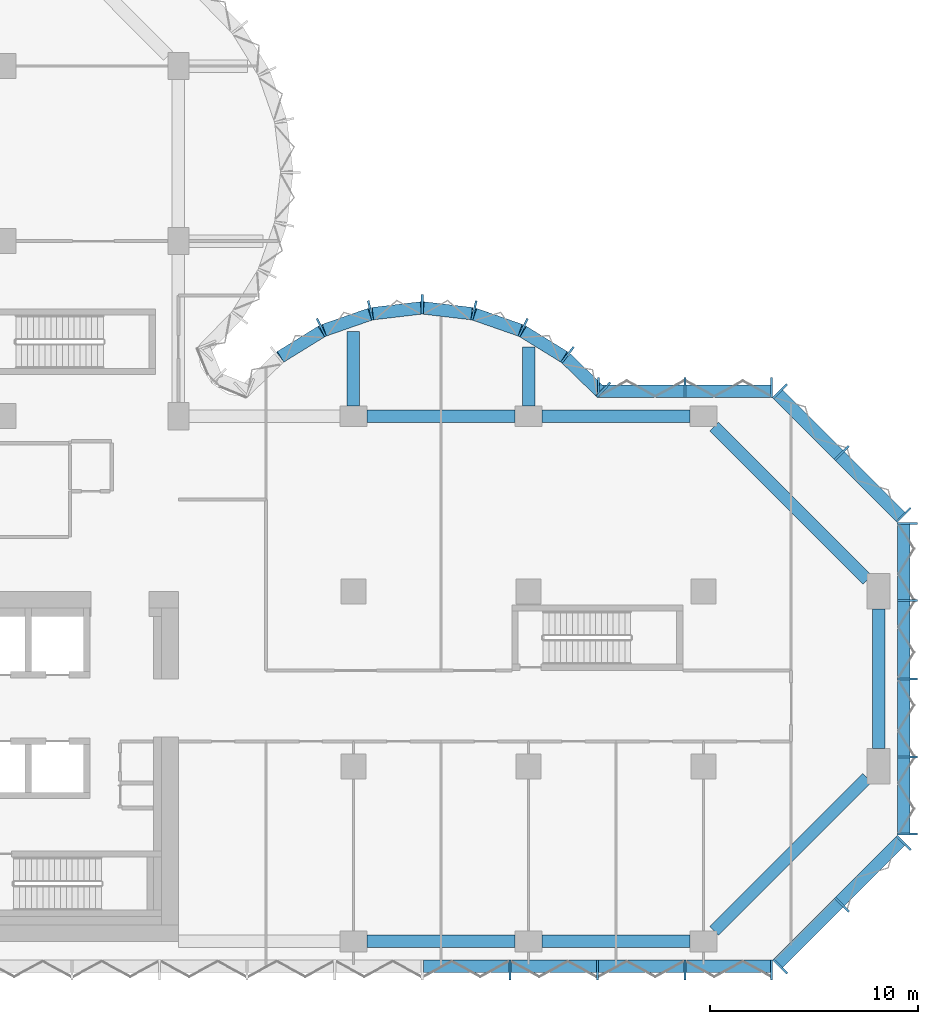
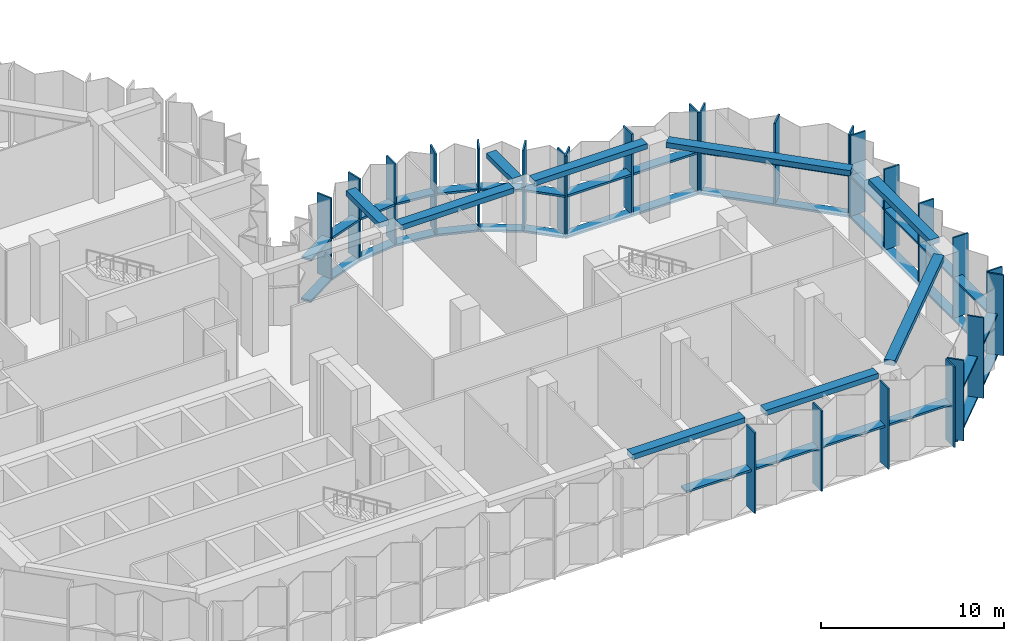
# One storey, part 2 of 15: 57 members, 9 beams, 6 elements without a shape of their own.
"""IFC4 building model written with IfcOpenShell, lengths in metres."""

import ifcopenshell
import ifcopenshell.guid

model = None  # the IFC model being written
_history = None  # IfcOwnerHistory: only IFC2X3 demands one
_inside = {}  # id of a spatial element -> (the spatial element, [elements in it])
_under = {}  # id of a project, library or spatial element -> (it, [spatial elements below it])
_declared = {}  # id of a project -> (the project, [libraries it declares])
_typed = {}  # id of a type object -> (the type object, [elements of that type])
_made_of = {}  # id of a material, layer set ... -> (it, [elements and type objects made of it])


def new_model(schema):
    """Start an empty IFC model of exactly this schema.

    Asked for "IFC4X3", IfcOpenShell would pick the latest addendum, in which some entities
    have other attributes; the version numbers below select the first issue.
    IFC2X3 requires an IfcOwnerHistory on every rooted entity: one is made here for all.
    """
    global model, _history
    if schema == "IFC4X3":
        model = ifcopenshell.file(schema_version=(4, 3, 0, 0))
    else:
        model = ifcopenshell.file(schema=schema)
    _inside.clear()
    _under.clear()
    _declared.clear()
    _typed.clear()
    _made_of.clear()
    _history = None
    if model.schema == "IFC2X3":
        org = make("IfcOrganization", Name="unknown")
        user = make(
            "IfcPersonAndOrganization",
            ThePerson=make("IfcPerson", FamilyName="unknown"),
            TheOrganization=org,
        )
        app = make(
            "IfcApplication",
            ApplicationDeveloper=org,
            Version="unknown",
            ApplicationFullName="unknown",
            ApplicationIdentifier="unknown",
        )
        _history = make(
            "IfcOwnerHistory",
            OwningUser=user,
            OwningApplication=app,
            ChangeAction="ADDED",
            CreationDate=0,
        )
    return model


def make(cls, **values):
    """One entity of the class cls with the attributes given. An attribute that is None is left unset."""
    return model.create_entity(
        cls, **{name: value for name, value in values.items() if value is not None}
    )


def rooted(cls, **values):
    """An entity with a GlobalId (a new one), such as an element, a storey or a relation."""
    return make(cls, GlobalId=ifcopenshell.guid.new(), OwnerHistory=_history, **values)


def si_unit(unit_type, name, prefix=None):
    """IfcSIUnit, for example si_unit("LENGTHUNIT", "METRE", prefix="MILLI")."""
    return make("IfcSIUnit", UnitType=unit_type, Prefix=prefix, Name=name)


def assignment(units):
    """IfcUnitAssignment: the units of a project."""
    return None if units is None else make("IfcUnitAssignment", Units=units)


def point(xyz):
    """IfcCartesianPoint."""
    return None if xyz is None else make("IfcCartesianPoint", Coordinates=xyz)


def direction(xyz):
    """IfcDirection."""
    return None if xyz is None else make("IfcDirection", DirectionRatios=xyz)


def frame(location, z_axis=None, x_axis=None):
    """IfcAxis2Placement3D, a coordinate frame: its origin and axes. An axis left out is left unset."""
    return make(
        "IfcAxis2Placement3D",
        Location=point(location),
        Axis=direction(z_axis),
        RefDirection=direction(x_axis),
    )


def frame_2d(location, x_axis=None):
    """IfcAxis2Placement2D, a coordinate frame in the plane: its origin and x axis."""
    return make(
        "IfcAxis2Placement2D", Location=point(location), RefDirection=direction(x_axis)
    )


def origin():
    """The frame at (0, 0, 0) with its axes left unset."""
    return frame((0.0, 0.0, 0.0))


def origin_2d():
    """The frame at (0, 0) in the plane with its x axis left unset."""
    return frame_2d((0.0, 0.0))


def place(relative_to, where):
    """IfcLocalPlacement: puts the frame where relative to a parent placement (None: the world)."""
    return make(
        "IfcLocalPlacement", PlacementRelTo=relative_to, RelativePlacement=where
    )


def context(
    kind, dimensions, precision=None, world=None, true_north=None, identifier=None
):
    """IfcGeometricRepresentationContext, for example the 3D "Model" context."""
    return make(
        "IfcGeometricRepresentationContext",
        ContextIdentifier=identifier,
        ContextType=kind,
        CoordinateSpaceDimension=dimensions,
        Precision=precision,
        WorldCoordinateSystem=world,
        TrueNorth=true_north,
    )


def subcontext(parent, identifier, kind, view, scale=None):
    """IfcGeometricRepresentationSubContext, for example "Body" below "Model"."""
    return make(
        "IfcGeometricRepresentationSubContext",
        ContextIdentifier=identifier,
        ContextType=kind,
        ParentContext=parent,
        TargetScale=scale,
        TargetView=view,
    )


def project(units=None, contexts=None):
    """IfcProject with its units and contexts."""
    return rooted(
        "IfcProject",
        Name="project",
        RepresentationContexts=contexts,
        UnitsInContext=assignment(units),
    )


def spatial(cls, under=None, at=None, **own):
    """A site, building, storey or space (cls), placed at a placement, below another one or the project."""
    s = rooted(cls, ObjectPlacement=at, **own)
    if under is not None:
        _under.setdefault(under.id(), (under, []))[1].append(s)
    return s


def profile(cls, at=None, kind="AREA", **sizes):
    """A parametric profile (cls). Its sizes go by their IFC names, for example OverallWidth=200.0."""
    return make(cls, ProfileType=kind, Position=at, **sizes)


def rectangle(**sizes):
    """IfcRectangleProfileDef."""
    return profile("IfcRectangleProfileDef", **sizes)


def extrude(swept, where, along, depth):
    """IfcExtrudedAreaSolid: the profile swept, set in the frame where, extruded along a direction by depth."""
    return make(
        "IfcExtrudedAreaSolid",
        SweptArea=swept,
        Position=where,
        ExtrudedDirection=direction(along),
        Depth=depth,
    )


def shape(context_of_items, identifier, shape_type, items):
    """IfcShapeRepresentation: the items that make up one representation, for example the "Body"."""
    return make(
        "IfcShapeRepresentation",
        ContextOfItems=context_of_items,
        RepresentationIdentifier=identifier,
        RepresentationType=shape_type,
        Items=items,
    )


def material(Name=None, Category=None):
    """IfcMaterial."""
    return make("IfcMaterial", Name=Name, Category=Category)


def material_profile(
    of_material, cross_section, Name=None, Category=None, Priority=None
):
    """IfcMaterialProfile: a cross section and its material."""
    return make(
        "IfcMaterialProfile",
        Name=Name,
        Material=of_material,
        Profile=cross_section,
        Priority=Priority,
        Category=Category,
    )


def profile_set(profiles, Name=None, composite=None):
    """IfcMaterialProfileSet."""
    return make(
        "IfcMaterialProfileSet",
        Name=Name,
        MaterialProfiles=profiles,
        CompositeProfile=composite,
    )


def made_of(thing, what):
    """Note that an element or type object is made of a material, layer set ...; save() writes the relation."""
    if what is not None:
        _made_of.setdefault(what.id(), (what, []))[1].append(thing)
    return thing


def type_object(cls, material=None, **own):
    """A type object (cls), such as IfcWallType, which elements share."""
    return made_of(rooted(cls, **own), material)


def element(
    cls,
    number,
    at=None,
    inside=None,
    cuts=None,
    type_object=None,
    material=None,
    context=None,
    identifier="Body",
    shape_type=None,
    held_by="IfcProductDefinitionShape",
    body=None,
    shapes=None,
    **own,
):
    """One element of the class cls, such as IfcWall. Its Tag is "e" and its number.

    at: its placement. inside: the storey or other place that contains it. cuts: it is an
    opening in that element (IfcRelVoidsElement). A single representation is given by context,
    identifier, shape_type and body (its items); several are given by shapes. held_by: the class
    of the entity that holds the representations. save() writes the other relations.
    """
    e = rooted(cls, Tag="e%d" % number, ObjectPlacement=at, **own)
    if body is not None:
        shapes = [shape(context, identifier, shape_type, body)]
    if shapes is not None:
        e.Representation = make(held_by, Representations=shapes)
    if inside is not None:
        _inside.setdefault(inside.id(), (inside, []))[1].append(e)
    if cuts is not None:
        rooted(
            "IfcRelVoidsElement", RelatingBuildingElement=cuts, RelatedOpeningElement=e
        )
    if type_object is not None:
        _typed.setdefault(type_object.id(), (type_object, []))[1].append(e)
    return made_of(e, material)


def aggregate(whole, parts):
    """IfcRelAggregates: a whole, such as a stair, and the parts it consists of."""
    return rooted("IfcRelAggregates", RelatingObject=whole, RelatedObjects=parts)


def save(model, path):
    """Write the relations noted so far, then the file.

    IfcRelAggregates (storeys below a building ...), IfcRelContainedInSpatialStructure (elements
    in a storey), IfcRelDefinesByType, IfcRelAssociatesMaterial and IfcRelDeclares: one each for
    every whole, place, type object, material and project.
    """
    for whole, parts in _under.values():
        aggregate(whole, parts)
    for where, things in _inside.values():
        rooted(
            "IfcRelContainedInSpatialStructure",
            RelatedElements=things,
            RelatingStructure=where,
        )
    for kind, things in _typed.values():
        rooted("IfcRelDefinesByType", RelatedObjects=things, RelatingType=kind)
    for what, things in _made_of.values():
        rooted("IfcRelAssociatesMaterial", RelatedObjects=things, RelatingMaterial=what)
    for by, libraries in _declared.values():
        rooted("IfcRelDeclares", RelatingContext=by, RelatedDefinitions=libraries)
    model.write(path)


model = new_model("IFC4")

# Units and contexts
model_context = context("Model", 3, precision=1e-05, world=origin(), true_north=direction((0.0, 1.0)))
body_context = subcontext(model_context, "Body", "Model", "MODEL_VIEW")
ifc_project = project(units=[si_unit("LENGTHUNIT", "METRE"), si_unit("AREAUNIT", "SQUARE_METRE"), si_unit("VOLUMEUNIT", "CUBIC_METRE"), si_unit("PLANEANGLEUNIT", "RADIAN"), si_unit("MASSUNIT", "GRAM", prefix="KILO")], contexts=[model_context])

# Site, building, storey
site_placement = place(None, origin())
site = spatial("IfcSite", under=ifc_project, at=site_placement, CompositionType="ELEMENT")
building_placement = place(site_placement, origin())
building = spatial("IfcBuilding", under=site, at=building_placement, Name="Brevane Broadcast Tower", CompositionType="ELEMENT")
storey_placement = place(building_placement, frame((0.0, 0.0, 156.5)))
storey = spatial("IfcBuildingStorey", under=building, at=storey_placement, Name="L39", CompositionType="ELEMENT", Elevation=156.5)

# Curtain wall, members
ifc_material_1 = material(Name="Aluminium 6063-T6 bronze anodised", Category="aluminium")
curtain_wall_type = type_object("IfcCurtainWallType", Name="CW-4 curtain wall", PredefinedType="NOTDEFINED", material=ifc_material_1)
curtain_wall_1_placement = place(storey_placement, origin())
curtain_wall_1 = element("IfcCurtainWall", 1, at=curtain_wall_1_placement, inside=storey, type_object=curtain_wall_type, Name="CW-4 sky lobby unit L39 south face", PredefinedType="NOTDEFINED")
ifc_material_profile_1 = material_profile(ifc_material_1, rectangle(XDim=0.949951171875, YDim=0.10009765625, at=origin_2d()), Name="RECT 100x950")
ifc_profile_set_1 = profile_set([ifc_material_profile_1], Name="Aluminium 6063-T6 bronze anodised")
member_type_1 = type_object("IfcMemberType", Name="CW-4 mullion 100x950", PredefinedType="MULLION", material=ifc_profile_set_1)
member_1_placement = place(storey_placement, frame((41.10009765625, -1.375, -0.159912109375), z_axis=(0.0, 0.0, 1.0), x_axis=(0.0, 1.0, 0.0)))
member_1 = element("IfcMember", 2, at=member_1_placement, type_object=member_type_1, Name="CW-4 mullion", PredefinedType="MULLION", context=body_context, shape_type="SweptSolid", body=[
    extrude(rectangle(XDim=0.949951171875, YDim=0.10009765625, at=origin_2d()), origin(), (0.0, 0.0, 1.0), 5.35986328125),
])
member_2_placement = place(storey_placement, frame((45.300048828125, -1.375, -0.159912109375), z_axis=(0.0, 0.0, 1.0), x_axis=(0.0, 1.0, 0.0)))
member_2 = element("IfcMember", 3, at=member_2_placement, type_object=member_type_1, Name="CW-4 mullion", PredefinedType="MULLION", context=body_context, shape_type="SweptSolid", body=[
    extrude(rectangle(XDim=0.949951171875, YDim=0.10009765625, at=origin_2d()), origin(), (0.0, 0.0, 1.0), 5.35986328125),
])
member_3_placement = place(storey_placement, frame((49.5, -1.375, -0.159912109375), z_axis=(0.0, 0.0, 1.0), x_axis=(0.0, 1.0, 0.0)))
member_3 = element("IfcMember", 4, at=member_3_placement, type_object=member_type_1, Name="CW-4 mullion", PredefinedType="MULLION", context=body_context, shape_type="SweptSolid", body=[
    extrude(rectangle(XDim=0.949951171875, YDim=0.10009765625, at=origin_2d()), origin(), (0.0, 0.0, 1.0), 5.35986328125),
])
member_4_placement = place(storey_placement, frame((53.64990234375, -1.375, -0.159912109375), z_axis=(0.0, 0.0, 1.0), x_axis=(0.0, 1.0, 0.0)))
member_4 = element("IfcMember", 5, at=member_4_placement, type_object=member_type_1, Name="CW-4 mullion", PredefinedType="MULLION", context=body_context, shape_type="SweptSolid", body=[
    extrude(rectangle(XDim=0.949951171875, YDim=0.10009765625, at=origin_2d()), origin(), (0.0, 0.0, 1.0), 5.35986328125),
])

curtain_wall_2_placement = place(storey_placement, origin())
curtain_wall_2 = element("IfcCurtainWall", 6, at=curtain_wall_2_placement, inside=storey, type_object=curtain_wall_type, Name="CW-4 sky lobby unit L39 south-east chamfer", PredefinedType="NOTDEFINED")
member_5_placement = place(storey_placement, frame((54.0712890625, -1.200439453125, -0.159912109375), z_axis=(0.0, 0.0, 1.0), x_axis=(-0.707106781187, 0.707106781187, 0.0)))
member_5 = element("IfcMember", 7, at=member_5_placement, type_object=member_type_1, Name="CW-4 mullion", PredefinedType="MULLION", context=body_context, shape_type="SweptSolid", body=[
    extrude(rectangle(XDim=0.949951171875, YDim=0.10009765625, at=origin_2d()), origin(), (0.0, 0.0, 1.0), 5.35986328125),
])
member_6_placement = place(storey_placement, frame((57.035888671875, 1.76416015625, -0.159912109375), z_axis=(0.0, 0.0, 1.0), x_axis=(-0.707106781187, 0.707106781187, 0.0)))
member_6 = element("IfcMember", 8, at=member_6_placement, type_object=member_type_1, Name="CW-4 mullion", PredefinedType="MULLION", context=body_context, shape_type="SweptSolid", body=[
    extrude(rectangle(XDim=0.949951171875, YDim=0.10009765625, at=origin_2d()), origin(), (0.0, 0.0, 1.0), 5.35986328125),
])
member_7_placement = place(storey_placement, frame((60.00048828125, 4.728759765625, -0.159912109375), z_axis=(0.0, 0.0, 1.0), x_axis=(-0.707106781187, 0.707106781187, 0.0)))
member_7 = element("IfcMember", 9, at=member_7_placement, type_object=member_type_1, Name="CW-4 mullion", PredefinedType="MULLION", context=body_context, shape_type="SweptSolid", body=[
    extrude(rectangle(XDim=0.949951171875, YDim=0.10009765625, at=origin_2d()), origin(), (0.0, 0.0, 1.0), 5.35986328125),
])

curtain_wall_3_placement = place(storey_placement, origin())
curtain_wall_3 = element("IfcCurtainWall", 10, at=curtain_wall_3_placement, inside=storey, type_object=curtain_wall_type, Name="CW-4 sky lobby unit L39 east end", PredefinedType="NOTDEFINED")
member_8_placement = place(storey_placement, frame((60.175048828125, 5.14990234375, -0.159912109375), z_axis=(0.0, 0.0, 1.0), x_axis=(-1.0, 0.0, 0.0)))
member_8 = element("IfcMember", 11, at=member_8_placement, type_object=member_type_1, Name="CW-4 mullion", PredefinedType="MULLION", context=body_context, shape_type="SweptSolid", body=[
    extrude(rectangle(XDim=0.949951171875, YDim=0.10009765625, at=origin_2d()), origin(), (0.0, 0.0, 1.0), 5.35986328125),
])
member_9_placement = place(storey_placement, frame((60.175048828125, 8.85009765625, -0.159912109375), z_axis=(0.0, 0.0, 1.0), x_axis=(-1.0, 0.0, 0.0)))
member_9 = element("IfcMember", 12, at=member_9_placement, type_object=member_type_1, Name="CW-4 mullion", PredefinedType="MULLION", context=body_context, shape_type="SweptSolid", body=[
    extrude(rectangle(XDim=0.949951171875, YDim=0.10009765625, at=origin_2d()), origin(), (0.0, 0.0, 1.0), 5.35986328125),
])
member_10_placement = place(storey_placement, frame((60.175048828125, 12.60009765625, -0.159912109375), z_axis=(0.0, 0.0, 1.0), x_axis=(-1.0, 0.0, 0.0)))
member_10 = element("IfcMember", 13, at=member_10_placement, type_object=member_type_1, Name="CW-4 mullion", PredefinedType="MULLION", context=body_context, shape_type="SweptSolid", body=[
    extrude(rectangle(XDim=0.949951171875, YDim=0.10009765625, at=origin_2d()), origin(), (0.0, 0.0, 1.0), 5.35986328125),
])
member_11_placement = place(storey_placement, frame((60.175048828125, 16.35009765625, -0.159912109375), z_axis=(0.0, 0.0, 1.0), x_axis=(-1.0, 0.0, 0.0)))
member_11 = element("IfcMember", 14, at=member_11_placement, type_object=member_type_1, Name="CW-4 mullion", PredefinedType="MULLION", context=body_context, shape_type="SweptSolid", body=[
    extrude(rectangle(XDim=0.949951171875, YDim=0.10009765625, at=origin_2d()), origin(), (0.0, 0.0, 1.0), 5.35986328125),
])
member_12_placement = place(storey_placement, frame((60.175048828125, 20.050048828125, -0.159912109375), z_axis=(0.0, 0.0, 1.0), x_axis=(-1.0, 0.0, 0.0)))
member_12 = element("IfcMember", 15, at=member_12_placement, type_object=member_type_1, Name="CW-4 mullion", PredefinedType="MULLION", context=body_context, shape_type="SweptSolid", body=[
    extrude(rectangle(XDim=0.949951171875, YDim=0.10009765625, at=origin_2d()), origin(), (0.0, 0.0, 1.0), 5.35986328125),
])

curtain_wall_4_placement = place(storey_placement, origin())
curtain_wall_4 = element("IfcCurtainWall", 16, at=curtain_wall_4_placement, inside=storey, type_object=curtain_wall_type, Name="CW-4 sky lobby unit L39 north-east chamfer", PredefinedType="NOTDEFINED")
member_13_placement = place(storey_placement, frame((60.00048828125, 20.47119140625, -0.159912109375), z_axis=(0.0, 0.0, 1.0), x_axis=(-0.707106781187, -0.707106781187, 0.0)))
member_13 = element("IfcMember", 17, at=member_13_placement, type_object=member_type_1, Name="CW-4 mullion", PredefinedType="MULLION", context=body_context, shape_type="SweptSolid", body=[
    extrude(rectangle(XDim=0.949951171875, YDim=0.10009765625, at=origin_2d()), origin(), (0.0, 0.0, 1.0), 5.35986328125),
])
member_14_placement = place(storey_placement, frame((57.035888671875, 23.435791015625, -0.159912109375), z_axis=(0.0, 0.0, 1.0), x_axis=(-0.707106781187, -0.707106781187, 0.0)))
member_14 = element("IfcMember", 18, at=member_14_placement, type_object=member_type_1, Name="CW-4 mullion", PredefinedType="MULLION", context=body_context, shape_type="SweptSolid", body=[
    extrude(rectangle(XDim=0.949951171875, YDim=0.10009765625, at=origin_2d()), origin(), (0.0, 0.0, 1.0), 5.35986328125),
])
member_15_placement = place(storey_placement, frame((54.0712890625, 26.400634765625, -0.159912109375), z_axis=(0.0, 0.0, 1.0), x_axis=(-0.707106781187, -0.707106781187, 0.0)))
member_15 = element("IfcMember", 19, at=member_15_placement, type_object=member_type_1, Name="CW-4 mullion", PredefinedType="MULLION", context=body_context, shape_type="SweptSolid", body=[
    extrude(rectangle(XDim=0.949951171875, YDim=0.10009765625, at=origin_2d()), origin(), (0.0, 0.0, 1.0), 5.35986328125),
])

curtain_wall_5_placement = place(storey_placement, origin())
curtain_wall_5 = element("IfcCurtainWall", 20, at=curtain_wall_5_placement, inside=storey, type_object=curtain_wall_type, Name="CW-4 sky lobby unit L39 east arm north face", PredefinedType="NOTDEFINED")
member_16_placement = place(storey_placement, frame((53.64990234375, 26.574951171875, -0.159912109375), z_axis=(0.0, 0.0, 1.0), x_axis=(0.0, -1.0, 0.0)))
member_16 = element("IfcMember", 21, at=member_16_placement, type_object=member_type_1, Name="CW-4 mullion", PredefinedType="MULLION", context=body_context, shape_type="SweptSolid", body=[
    extrude(rectangle(XDim=0.949951171875, YDim=0.10009765625, at=origin_2d()), origin(), (0.0, 0.0, 1.0), 5.35986328125),
])
member_17_placement = place(storey_placement, frame((49.5, 26.574951171875, -0.159912109375), z_axis=(0.0, 0.0, 1.0), x_axis=(0.0, -1.0, 0.0)))
member_17 = element("IfcMember", 22, at=member_17_placement, type_object=member_type_1, Name="CW-4 mullion", PredefinedType="MULLION", context=body_context, shape_type="SweptSolid", body=[
    extrude(rectangle(XDim=0.949951171875, YDim=0.10009765625, at=origin_2d()), origin(), (0.0, 0.0, 1.0), 5.35986328125),
])
member_18_placement = place(storey_placement, frame((45.35009765625, 26.574951171875, -0.159912109375), z_axis=(0.0, 0.0, 1.0), x_axis=(0.0, -1.0, 0.0)))
member_18 = element("IfcMember", 23, at=member_18_placement, type_object=member_type_1, Name="CW-4 mullion", PredefinedType="MULLION", context=body_context, shape_type="SweptSolid", body=[
    extrude(rectangle(XDim=0.949951171875, YDim=0.10009765625, at=origin_2d()), origin(), (0.0, 0.0, 1.0), 5.35986328125),
])

curtain_wall_6_placement = place(storey_placement, origin())
curtain_wall_6 = element("IfcCurtainWall", 24, at=curtain_wall_6_placement, inside=storey, type_object=curtain_wall_type, Name="CW-4 sky lobby unit L39 east bow", PredefinedType="NOTDEFINED")
member_19_placement = place(storey_placement, frame((45.59521484375, 26.4755859375, -0.159912109375), z_axis=(0.0, 0.0, 1.0), x_axis=(-0.696812089895, -0.717253728729, 0.0)))
member_19 = element("IfcMember", 25, at=member_19_placement, type_object=member_type_1, Name="CW-4 mullion", PredefinedType="MULLION", context=body_context, shape_type="SweptSolid", body=[
    extrude(rectangle(XDim=0.949951171875, YDim=0.10009765625, at=origin_2d()), origin(), (0.0, 0.0, 1.0), 5.35986328125),
])
member_20_placement = place(storey_placement, frame((43.8720703125, 28.1455078125, -0.159912109375), z_axis=(0.0, 0.0, 1.0), x_axis=(-0.614769698862, -0.788706673841, 0.0)))
member_20 = element("IfcMember", 26, at=member_20_placement, type_object=member_type_1, Name="CW-4 mullion", PredefinedType="MULLION", context=body_context, shape_type="SweptSolid", body=[
    extrude(rectangle(XDim=0.949951171875, YDim=0.10009765625, at=origin_2d()), origin(), (0.0, 0.0, 1.0), 5.35986328125),
])
member_21_placement = place(storey_placement, frame((41.746826171875, 29.4580078125, -0.159912109375), z_axis=(0.0, 0.0, 1.0), x_axis=(-0.429933580394, -0.902860518823, 0.0)))
member_21 = element("IfcMember", 27, at=member_21_placement, type_object=member_type_1, Name="CW-4 mullion", PredefinedType="MULLION", context=body_context, shape_type="SweptSolid", body=[
    extrude(rectangle(XDim=0.949951171875, YDim=0.10009765625, at=origin_2d()), origin(), (0.0, 0.0, 1.0), 5.35986328125),
])
member_22_placement = place(storey_placement, frame((39.38818359375, 30.28076171875, -0.159912109375), z_axis=(0.0, 0.0, 1.0), x_axis=(-0.224806535479, -0.974403418306, 0.0)))
member_22 = element("IfcMember", 28, at=member_22_placement, type_object=member_type_1, Name="CW-4 mullion", PredefinedType="MULLION", context=body_context, shape_type="SweptSolid", body=[
    extrude(rectangle(XDim=0.949951171875, YDim=0.10009765625, at=origin_2d()), origin(), (0.0, 0.0, 1.0), 5.35986328125),
])
member_23_placement = place(storey_placement, frame((36.89990234375, 30.574951171875, -0.159912109375), z_axis=(0.0, 0.0, 1.0), x_axis=(0.0, -1.0, 0.0)))
member_23 = element("IfcMember", 29, at=member_23_placement, type_object=member_type_1, Name="CW-4 mullion", PredefinedType="MULLION", context=body_context, shape_type="SweptSolid", body=[
    extrude(rectangle(XDim=0.949951171875, YDim=0.10009765625, at=origin_2d()), origin(), (0.0, 0.0, 1.0), 5.35986328125),
])
member_24_placement = place(storey_placement, frame((34.411865234375, 30.28076171875, -0.159912109375), z_axis=(0.0, 0.0, 1.0), x_axis=(0.224806535479, -0.974403418306, 0.0)))
member_24 = element("IfcMember", 30, at=member_24_placement, type_object=member_type_1, Name="CW-4 mullion", PredefinedType="MULLION", context=body_context, shape_type="SweptSolid", body=[
    extrude(rectangle(XDim=0.949951171875, YDim=0.10009765625, at=origin_2d()), origin(), (0.0, 0.0, 1.0), 5.35986328125),
])
member_25_placement = place(storey_placement, frame((32.05322265625, 29.4580078125, -0.159912109375), z_axis=(0.0, 0.0, 1.0), x_axis=(0.429933580394, -0.902860518823, 0.0)))
member_25 = element("IfcMember", 31, at=member_25_placement, type_object=member_type_1, Name="CW-4 mullion", PredefinedType="MULLION", context=body_context, shape_type="SweptSolid", body=[
    extrude(rectangle(XDim=0.949951171875, YDim=0.10009765625, at=origin_2d()), origin(), (0.0, 0.0, 1.0), 5.35986328125),
])

# Member
ifc_material_profile_2 = material_profile(ifc_material_1, rectangle(XDim=0.60009765625, YDim=0.139892578125, at=origin_2d()), Name="RECT 140x600")
ifc_profile_set_2 = profile_set([ifc_material_profile_2], Name="Aluminium 6063-T6 bronze anodised")
member_type_2 = type_object("IfcMemberType", Name="CW-4 transom 140x600", PredefinedType="USERDEFINED", material=ifc_profile_set_2)
member_26_placement = place(storey_placement, frame((36.949951171875, -1.199951171875, 2.5), z_axis=(1.0, 0.0, 0.0), x_axis=(0.0, 1.0, 0.0)))
member_26 = element("IfcMember", 32, at=member_26_placement, type_object=member_type_2, Name="CW-4 transom", ObjectType="TRANSOM", PredefinedType="USERDEFINED", context=body_context, shape_type="SweptSolid", body=[
    extrude(rectangle(XDim=0.60009765625, YDim=0.139892578125, at=origin_2d()), origin(), (0.0, 0.0, 1.0), 4.10009765625),
])

member_27_placement = place(storey_placement, frame((41.14990234375, -1.199951171875, 2.5), z_axis=(1.0, 0.0, 0.0), x_axis=(0.0, 1.0, 0.0)))
member_27 = element("IfcMember", 33, at=member_27_placement, type_object=member_type_2, Name="CW-4 transom", ObjectType="TRANSOM", PredefinedType="USERDEFINED", context=body_context, shape_type="SweptSolid", body=[
    extrude(rectangle(XDim=0.60009765625, YDim=0.139892578125, at=origin_2d()), origin(), (0.0, 0.0, 1.0), 4.10009765625),
])

member_28_placement = place(storey_placement, frame((45.35009765625, -1.199951171875, 2.5), z_axis=(1.0, 0.0, 0.0), x_axis=(0.0, 1.0, 0.0)))
member_28 = element("IfcMember", 34, at=member_28_placement, type_object=member_type_2, Name="CW-4 transom", ObjectType="TRANSOM", PredefinedType="USERDEFINED", context=body_context, shape_type="SweptSolid", body=[
    extrude(rectangle(XDim=0.60009765625, YDim=0.139892578125, at=origin_2d()), origin(), (0.0, 0.0, 1.0), 4.099853515625),
])

member_29_placement = place(storey_placement, frame((49.550048828125, -1.199951171875, 2.5), z_axis=(1.0, 0.0, 0.0), x_axis=(0.0, 1.0, 0.0)))
member_29 = element("IfcMember", 35, at=member_29_placement, type_object=member_type_2, Name="CW-4 transom", ObjectType="TRANSOM", PredefinedType="USERDEFINED", context=body_context, shape_type="SweptSolid", body=[
    extrude(rectangle(XDim=0.60009765625, YDim=0.139892578125, at=origin_2d()), origin(), (0.0, 0.0, 1.0), 4.099853515625),
])

aggregate(curtain_wall_1, [member_1, member_2, member_3, member_4, member_26, member_27, member_28, member_29])

member_30_placement = place(storey_placement, frame((53.912109375, -1.112060546875, -0.22998046875), z_axis=(0.707106781187, 0.707106781187, 0.0), x_axis=(-0.707106781187, 0.707106781187, 0.0)))
member_30 = element("IfcMember", 36, at=member_30_placement, type_object=member_type_2, Name="CW-4 transom", ObjectType="TRANSOM", PredefinedType="USERDEFINED", context=body_context, shape_type="SweptSolid", body=[
    extrude(rectangle(XDim=0.60009765625, YDim=0.139892578125, at=origin_2d()), origin(), (0.0, 0.0, 1.0), 8.4853515625),
])

member_31_placement = place(storey_placement, frame((53.947509765625, -1.07666015625, 2.5), z_axis=(0.707106781187, 0.707106781187, 0.0), x_axis=(-0.707106781187, 0.707106781187, 0.0)))
member_31 = element("IfcMember", 37, at=member_31_placement, type_object=member_type_2, Name="CW-4 transom", ObjectType="TRANSOM", PredefinedType="USERDEFINED", context=body_context, shape_type="SweptSolid", body=[
    extrude(rectangle(XDim=0.60009765625, YDim=0.139892578125, at=origin_2d()), origin(), (0.0, 0.0, 1.0), 4.142578125),
])

member_32_placement = place(storey_placement, frame((56.947509765625, 1.92333984375, 2.5), z_axis=(0.707106781187, 0.707106781187, 0.0), x_axis=(-0.707106781187, 0.707106781187, 0.0)))
member_32 = element("IfcMember", 38, at=member_32_placement, type_object=member_type_2, Name="CW-4 transom", ObjectType="TRANSOM", PredefinedType="USERDEFINED", context=body_context, shape_type="SweptSolid", body=[
    extrude(rectangle(XDim=0.60009765625, YDim=0.139892578125, at=origin_2d()), origin(), (0.0, 0.0, 1.0), 4.142578125),
])

aggregate(curtain_wall_2, [member_5, member_6, member_7, member_30, member_31, member_32])

member_33_placement = place(storey_placement, frame((60.0, 5.10009765625, -0.22998046875), z_axis=(0.0, 1.0, 0.0), x_axis=(-1.0, 0.0, 0.0)))
member_33 = element("IfcMember", 39, at=member_33_placement, type_object=member_type_2, Name="CW-4 transom", ObjectType="TRANSOM", PredefinedType="USERDEFINED", context=body_context, shape_type="SweptSolid", body=[
    extrude(rectangle(XDim=0.60009765625, YDim=0.139892578125, at=origin_2d()), origin(), (0.0, 0.0, 1.0), 15.0),
])

member_34_placement = place(storey_placement, frame((60.0, 5.14990234375, 2.5), z_axis=(0.0, 1.0, 0.0), x_axis=(-1.0, 0.0, 0.0)))
member_34 = element("IfcMember", 40, at=member_34_placement, type_object=member_type_2, Name="CW-4 transom", ObjectType="TRANSOM", PredefinedType="USERDEFINED", context=body_context, shape_type="SweptSolid", body=[
    extrude(rectangle(XDim=0.60009765625, YDim=0.139892578125, at=origin_2d()), origin(), (0.0, 0.0, 1.0), 3.650146484375),
])

member_35_placement = place(storey_placement, frame((60.0, 8.89990234375, 2.5), z_axis=(0.0, 1.0, 0.0), x_axis=(-1.0, 0.0, 0.0)))
member_35 = element("IfcMember", 41, at=member_35_placement, type_object=member_type_2, Name="CW-4 transom", ObjectType="TRANSOM", PredefinedType="USERDEFINED", context=body_context, shape_type="SweptSolid", body=[
    extrude(rectangle(XDim=0.60009765625, YDim=0.139892578125, at=origin_2d()), origin(), (0.0, 0.0, 1.0), 3.650146484375),
])

member_36_placement = place(storey_placement, frame((60.0, 12.64990234375, 2.5), z_axis=(0.0, 1.0, 0.0), x_axis=(-1.0, 0.0, 0.0)))
member_36 = element("IfcMember", 42, at=member_36_placement, type_object=member_type_2, Name="CW-4 transom", ObjectType="TRANSOM", PredefinedType="USERDEFINED", context=body_context, shape_type="SweptSolid", body=[
    extrude(rectangle(XDim=0.60009765625, YDim=0.139892578125, at=origin_2d()), origin(), (0.0, 0.0, 1.0), 3.650146484375),
])

member_37_placement = place(storey_placement, frame((60.0, 16.39990234375, 2.5), z_axis=(0.0, 1.0, 0.0), x_axis=(-1.0, 0.0, 0.0)))
member_37 = element("IfcMember", 43, at=member_37_placement, type_object=member_type_2, Name="CW-4 transom", ObjectType="TRANSOM", PredefinedType="USERDEFINED", context=body_context, shape_type="SweptSolid", body=[
    extrude(rectangle(XDim=0.60009765625, YDim=0.139892578125, at=origin_2d()), origin(), (0.0, 0.0, 1.0), 3.650146484375),
])

aggregate(curtain_wall_3, [member_8, member_9, member_10, member_11, member_12, member_33, member_34, member_35, member_36, member_37])

member_38_placement = place(storey_placement, frame((59.912109375, 20.31201171875, -0.22998046875), z_axis=(-0.707106781187, 0.707106781187, 0.0), x_axis=(-0.707106781187, -0.707106781187, 0.0)))
member_38 = element("IfcMember", 44, at=member_38_placement, type_object=member_type_2, Name="CW-4 transom", ObjectType="TRANSOM", PredefinedType="USERDEFINED", context=body_context, shape_type="SweptSolid", body=[
    extrude(rectangle(XDim=0.60009765625, YDim=0.139892578125, at=origin_2d()), origin(), (0.0, 0.0, 1.0), 8.4853515625),
])

member_39_placement = place(storey_placement, frame((59.876708984375, 20.347412109375, 2.5), z_axis=(-0.707077314107, 0.707136247038, 0.0), x_axis=(-0.707136247038, -0.707077314107, 0.0)))
member_39 = element("IfcMember", 45, at=member_39_placement, type_object=member_type_2, Name="CW-4 transom", ObjectType="TRANSOM", PredefinedType="USERDEFINED", context=body_context, shape_type="SweptSolid", body=[
    extrude(rectangle(XDim=0.60009765625, YDim=0.139892578125, at=origin_2d()), origin(), (0.0, 0.0, 1.0), 4.142578125),
])

member_40_placement = place(storey_placement, frame((56.876708984375, 23.347412109375, 2.5), z_axis=(-0.707077314107, 0.707136247038, 0.0), x_axis=(-0.707136247038, -0.707077314107, 0.0)))
member_40 = element("IfcMember", 46, at=member_40_placement, type_object=member_type_2, Name="CW-4 transom", ObjectType="TRANSOM", PredefinedType="USERDEFINED", context=body_context, shape_type="SweptSolid", body=[
    extrude(rectangle(XDim=0.60009765625, YDim=0.139892578125, at=origin_2d()), origin(), (0.0, 0.0, 1.0), 4.142578125),
])

aggregate(curtain_wall_4, [member_13, member_14, member_15, member_38, member_39, member_40])

member_41_placement = place(storey_placement, frame((53.699951171875, 26.39990234375, -0.22998046875), z_axis=(-1.0, 0.0, 0.0), x_axis=(0.0, -1.0, 0.0)))
member_41 = element("IfcMember", 47, at=member_41_placement, type_object=member_type_2, Name="CW-4 transom", ObjectType="TRANSOM", PredefinedType="USERDEFINED", context=body_context, shape_type="SweptSolid", body=[
    extrude(rectangle(XDim=0.60009765625, YDim=0.139892578125, at=origin_2d()), origin(), (0.0, 0.0, 1.0), 8.39990234375),
])

member_42_placement = place(storey_placement, frame((53.64990234375, 26.39990234375, 2.5), z_axis=(-1.0, 0.0, 0.0), x_axis=(0.0, -1.0, 0.0)))
member_42 = element("IfcMember", 48, at=member_42_placement, type_object=member_type_2, Name="CW-4 transom", ObjectType="TRANSOM", PredefinedType="USERDEFINED", context=body_context, shape_type="SweptSolid", body=[
    extrude(rectangle(XDim=0.60009765625, YDim=0.139892578125, at=origin_2d()), origin(), (0.0, 0.0, 1.0), 4.099853515625),
])

member_43_placement = place(storey_placement, frame((49.449951171875, 26.39990234375, 2.5), z_axis=(-1.0, 0.0, 0.0), x_axis=(0.0, -1.0, 0.0)))
member_43 = element("IfcMember", 49, at=member_43_placement, type_object=member_type_2, Name="CW-4 transom", ObjectType="TRANSOM", PredefinedType="USERDEFINED", context=body_context, shape_type="SweptSolid", body=[
    extrude(rectangle(XDim=0.60009765625, YDim=0.139892578125, at=origin_2d()), origin(), (0.0, 0.0, 1.0), 4.099853515625),
])

aggregate(curtain_wall_5, [member_16, member_17, member_18, member_41, member_42, member_43])

member_44_placement = place(storey_placement, frame((45.412841796875, 26.407958984375, -0.22998046875), z_axis=(-0.71724215871, 0.696823999134, 0.0), x_axis=(-0.696823999134, -0.71724215871, 0.0)))
member_44 = element("IfcMember", 50, at=member_44_placement, type_object=member_type_2, Name="CW-4 transom", ObjectType="TRANSOM", PredefinedType="USERDEFINED", context=body_context, shape_type="SweptSolid", body=[
    extrude(rectangle(XDim=0.60009765625, YDim=0.139892578125, at=origin_2d()), origin(), (0.0, 0.0, 1.0), 2.247802734375),
])

member_45_placement = place(storey_placement, frame((43.7421875, 28.023193359375, -0.22998046875), z_axis=(-0.850810063131, 0.525473345162, 0.0), x_axis=(-0.525473345162, -0.850810063131, 0.0)))
member_45 = element("IfcMember", 51, at=member_45_placement, type_object=member_type_2, Name="CW-4 transom", ObjectType="TRANSOM", PredefinedType="USERDEFINED", context=body_context, shape_type="SweptSolid", body=[
    extrude(rectangle(XDim=0.60009765625, YDim=0.139892578125, at=origin_2d()), origin(), (0.0, 0.0, 1.0), 2.39453125),
])

member_46_placement = place(storey_placement, frame((41.63623046875, 29.314208984375, -0.22998046875), z_axis=(-0.944197969542, 0.329378497041, 0.0), x_axis=(-0.329378497041, -0.944197969542, 0.0)))
member_46 = element("IfcMember", 52, at=member_46_placement, type_object=member_type_2, Name="CW-4 transom", ObjectType="TRANSOM", PredefinedType="USERDEFINED", context=body_context, shape_type="SweptSolid", body=[
    extrude(rectangle(XDim=0.60009765625, YDim=0.139892578125, at=origin_2d()), origin(), (0.0, 0.0, 1.0), 2.394775390625),
])

member_47_placement = place(storey_placement, frame((39.30029296875, 30.117431640625, -0.22998046875), z_axis=(-0.993062061831, 0.117591417, 0.0), x_axis=(-0.117591417, -0.993062061831, 0.0)))
member_47 = element("IfcMember", 53, at=member_47_placement, type_object=member_type_2, Name="CW-4 transom", ObjectType="TRANSOM", PredefinedType="USERDEFINED", context=body_context, shape_type="SweptSolid", body=[
    extrude(rectangle(XDim=0.60009765625, YDim=0.139892578125, at=origin_2d()), origin(), (0.0, 0.0, 1.0), 2.39794921875),
])

member_48_placement = place(storey_placement, frame((36.880859375, 30.3994140625, -0.22998046875), z_axis=(-0.993060653805, -0.117603307202, 0.0), x_axis=(0.117603307202, -0.993060653805, 0.0)))
member_48 = element("IfcMember", 54, at=member_48_placement, type_object=member_type_2, Name="CW-4 transom", ObjectType="TRANSOM", PredefinedType="USERDEFINED", context=body_context, shape_type="SweptSolid", body=[
    extrude(rectangle(XDim=0.60009765625, YDim=0.139892578125, at=origin_2d()), origin(), (0.0, 0.0, 1.0), 2.397705078125),
])

member_49_placement = place(storey_placement, frame((34.425048828125, 30.10302734375, -0.22998046875), z_axis=(-0.944197969542, -0.329378497041, 0.0), x_axis=(0.329378497041, -0.944197969542, 0.0)))
member_49 = element("IfcMember", 55, at=member_49_placement, type_object=member_type_2, Name="CW-4 transom", ObjectType="TRANSOM", PredefinedType="USERDEFINED", context=body_context, shape_type="SweptSolid", body=[
    extrude(rectangle(XDim=0.60009765625, YDim=0.139892578125, at=origin_2d()), origin(), (0.0, 0.0, 1.0), 2.394775390625),
])

member_50_placement = place(storey_placement, frame((32.09521484375, 29.281494140625, -0.22998046875), z_axis=(-0.850838211365, -0.525427766759, 0.0), x_axis=(0.525427766759, -0.850838211365, 0.0)))
member_50 = element("IfcMember", 56, at=member_50_placement, type_object=member_type_2, Name="CW-4 transom", ObjectType="TRANSOM", PredefinedType="USERDEFINED", context=body_context, shape_type="SweptSolid", body=[
    extrude(rectangle(XDim=0.60009765625, YDim=0.139892578125, at=origin_2d()), origin(), (0.0, 0.0, 1.0), 2.394775390625),
])

member_51_placement = place(storey_placement, frame((45.484619140625, 26.33837890625, 2.5), z_axis=(-0.717264318442, 0.696801189357, 0.0), x_axis=(-0.696801189357, -0.717264318442, 0.0)))
member_51 = element("IfcMember", 57, at=member_51_placement, type_object=member_type_2, Name="CW-4 transom", ObjectType="TRANSOM", PredefinedType="USERDEFINED", context=body_context, shape_type="SweptSolid", body=[
    extrude(rectangle(XDim=0.60009765625, YDim=0.139892578125, at=origin_2d()), origin(), (0.0, 0.0, 1.0), 2.314453125),
])

member_52_placement = place(storey_placement, frame((43.69970703125, 28.049560546875, 2.5), z_axis=(-0.850830093417, 0.525440912125, 0.0), x_axis=(-0.525440912125, -0.850830093417, 0.0)))
member_52 = element("IfcMember", 58, at=member_52_placement, type_object=member_type_2, Name="CW-4 transom", ObjectType="TRANSOM", PredefinedType="USERDEFINED", context=body_context, shape_type="SweptSolid", body=[
    extrude(rectangle(XDim=0.60009765625, YDim=0.139892578125, at=origin_2d()), origin(), (0.0, 0.0, 1.0), 2.300537109375),
])

member_53_placement = place(storey_placement, frame((41.594482421875, 29.328857421875, 2.5), z_axis=(-0.944231643932, 0.329281950002, 0.0), x_axis=(-0.329281950002, -0.944231643932, 0.0)))
member_53 = element("IfcMember", 59, at=member_53_placement, type_object=member_type_2, Name="CW-4 transom", ObjectType="TRANSOM", PredefinedType="USERDEFINED", context=body_context, shape_type="SweptSolid", body=[
    extrude(rectangle(XDim=0.60009765625, YDim=0.139892578125, at=origin_2d()), origin(), (0.0, 0.0, 1.0), 2.30078125),
])

member_54_placement = place(storey_placement, frame((39.26708984375, 30.121337890625, 2.5), z_axis=(-0.993058853687, 0.117618506677, 0.0), x_axis=(-0.117618506677, -0.993058853687, 0.0)))
member_54 = element("IfcMember", 60, at=member_54_placement, type_object=member_type_2, Name="CW-4 transom", ObjectType="TRANSOM", PredefinedType="USERDEFINED", context=body_context, shape_type="SweptSolid", body=[
    extrude(rectangle(XDim=0.60009765625, YDim=0.139892578125, at=origin_2d()), origin(), (0.0, 0.0, 1.0), 2.314453125),
])

member_55_placement = place(storey_placement, frame((36.831298828125, 30.3935546875, 2.5), z_axis=(-0.993060312783, -0.117606186803, 0.0), x_axis=(0.117606186803, -0.993060312783, 0.0)))
member_55 = element("IfcMember", 61, at=member_55_placement, type_object=member_type_2, Name="CW-4 transom", ObjectType="TRANSOM", PredefinedType="USERDEFINED", context=body_context, shape_type="SweptSolid", body=[
    extrude(rectangle(XDim=0.60009765625, YDim=0.139892578125, at=origin_2d()), origin(), (0.0, 0.0, 1.0), 2.314697265625),
])

member_56_placement = place(storey_placement, frame((34.3779296875, 30.08642578125, 2.5), z_axis=(-0.944231643932, -0.329281950002, 0.0), x_axis=(0.329281950002, -0.944231643932, 0.0)))
member_56 = element("IfcMember", 62, at=member_56_placement, type_object=member_type_2, Name="CW-4 transom", ObjectType="TRANSOM", PredefinedType="USERDEFINED", context=body_context, shape_type="SweptSolid", body=[
    extrude(rectangle(XDim=0.60009765625, YDim=0.139892578125, at=origin_2d()), origin(), (0.0, 0.0, 1.0), 2.30078125),
])

member_57_placement = place(storey_placement, frame((32.0576171875, 29.25830078125, 2.5), z_axis=(-0.850830093417, -0.525440912125, 0.0), x_axis=(0.525440912125, -0.850830093417, 0.0)))
member_57 = element("IfcMember", 63, at=member_57_placement, type_object=member_type_2, Name="CW-4 transom", ObjectType="TRANSOM", PredefinedType="USERDEFINED", context=body_context, shape_type="SweptSolid", body=[
    extrude(rectangle(XDim=0.60009765625, YDim=0.139892578125, at=origin_2d()), origin(), (0.0, 0.0, 1.0), 2.300537109375),
])

aggregate(curtain_wall_6, [member_19, member_20, member_21, member_22, member_23, member_24, member_25, member_44, member_45, member_46, member_47, member_48, member_49, member_50, member_51, member_52, member_53, member_54, member_55, member_56, member_57])

# Beams
ifc_material_2 = material(Name="Concrete C40/50", Category="concrete")
ifc_material_profile_3 = material_profile(ifc_material_2, rectangle(XDim=0.60009765625, YDim=0.35009765625, at=origin_2d()), Name="RC 600x350")
ifc_profile_set_3 = profile_set([ifc_material_profile_3], Name="Concrete C40/50")
beam_type_1 = type_object("IfcBeamType", Name="RC BRACKET BEAM 600x350 C40/50", PredefinedType="BEAM", material=ifc_profile_set_3)
beam_1_placement = place(storey_placement, frame((33.60009765625, 25.699951171875, 5.02490234375), z_axis=(0.0, 1.0, 0.0), x_axis=(-1.0, 0.0, 0.0)))
element("IfcBeam", 64, at=beam_1_placement, inside=storey, type_object=beam_type_1, Name="EB2 L39-3", PredefinedType="BEAM", context=body_context, shape_type="SweptSolid", body=[
    extrude(rectangle(XDim=0.60009765625, YDim=0.35009765625, at=origin_2d()), origin(), (0.0, 0.0, 1.0), 3.56201171875),
])
beam_2_placement = place(storey_placement, frame((42.0, 25.699951171875, 5.02490234375), z_axis=(0.0, 1.0, 0.0), x_axis=(-1.0, 0.0, 0.0)))
element("IfcBeam", 65, at=beam_2_placement, inside=storey, type_object=beam_type_1, Name="EB2 L39-4", PredefinedType="BEAM", context=body_context, shape_type="SweptSolid", body=[
    extrude(rectangle(XDim=0.60009765625, YDim=0.35009765625, at=origin_2d()), origin(), (0.0, 0.0, 1.0), 2.8115234375),
])
ifc_material_profile_4 = material_profile(ifc_material_2, rectangle(XDim=0.60009765625, YDim=0.35009765625, at=origin_2d()), Name="RC 600x350")
ifc_profile_set_4 = profile_set([ifc_material_profile_4], Name="Concrete C40/50")
beam_type_2 = type_object("IfcBeamType", Name="RC SPANDREL BEAM 600x350 C40/50", PredefinedType="SPANDREL", material=ifc_profile_set_4)
for number, where, z_axis, x_axis, name in (
    (66, (34.25, 0.0, 5.02490234375), (1.0, 0.0, 0.0), (0.0, 1.0, 0.0), "EB1 L39-2"),
    (67, (42.64990234375, 0.0, 5.02490234375), (1.0, 0.0, 0.0), (0.0, 1.0, 0.0), "EB1 L39-3"),
):
    element("IfcBeam", number, at=place(storey_placement, frame(where, z_axis=z_axis, x_axis=x_axis)), inside=storey, type_object=beam_type_2, Name=name, PredefinedType="SPANDREL", context=body_context, shape_type="SweptSolid", body=[
        extrude(rectangle(XDim=0.60009765625, YDim=0.35009765625, at=origin_2d()), origin(), (0.0, 0.0, 1.0), 7.10009765625),
    ])
beam_3_placement = place(storey_placement, frame((50.89990234375, 0.5, 5.02490234375), z_axis=(0.707106781187, 0.707106781187, 0.0), x_axis=(-0.707106781187, 0.707106781187, 0.0)))
element("IfcBeam", 68, at=beam_3_placement, inside=storey, type_object=beam_type_2, Name="EB1 L39-4", PredefinedType="SPANDREL", context=body_context, shape_type="SweptSolid", body=[
    extrude(rectangle(XDim=0.60009765625, YDim=0.35009765625, at=origin_2d()), origin(), (0.0, 0.0, 1.0), 10.39453125),
])
beam_4_placement = place(storey_placement, frame((58.800048828125, 9.25, 5.02490234375), z_axis=(0.0, 1.0, 0.0), x_axis=(-1.0, 0.0, 0.0)))
element("IfcBeam", 69, at=beam_4_placement, inside=storey, type_object=beam_type_2, Name="EB1 L39-5", PredefinedType="SPANDREL", context=body_context, shape_type="SweptSolid", body=[
    extrude(rectangle(XDim=0.60009765625, YDim=0.35009765625, at=origin_2d()), origin(), (0.0, 0.0, 1.0), 6.699951171875),
])
beam_5_placement = place(storey_placement, frame((58.25, 17.35009765625, 5.02490234375), z_axis=(-0.707118524903, 0.707095037275, 0.0), x_axis=(-0.707095037275, -0.707118524903, 0.0)))
element("IfcBeam", 70, at=beam_5_placement, inside=storey, type_object=beam_type_2, Name="EB1 L39-6", PredefinedType="SPANDREL", context=body_context, shape_type="SweptSolid", body=[
    extrude(rectangle(XDim=0.60009765625, YDim=0.35009765625, at=origin_2d()), origin(), (0.0, 0.0, 1.0), 10.39453125),
])
for number, where, z_axis, x_axis, name in (
    (71, (49.75, 25.199951171875, 5.02490234375), (-1.0, 0.0, 0.0), (0.0, -1.0, 0.0), "EB1 L39-7"),
    (72, (41.35009765625, 25.199951171875, 5.02490234375), (-1.0, 0.0, 0.0), (0.0, -1.0, 0.0), "EB1 L39-8"),
):
    element("IfcBeam", number, at=place(storey_placement, frame(where, z_axis=z_axis, x_axis=x_axis)), inside=storey, type_object=beam_type_2, Name=name, PredefinedType="SPANDREL", context=body_context, shape_type="SweptSolid", body=[
        extrude(rectangle(XDim=0.60009765625, YDim=0.35009765625, at=origin_2d()), origin(), (0.0, 0.0, 1.0), 7.10009765625),
    ])

save(model, "model.ifc")
